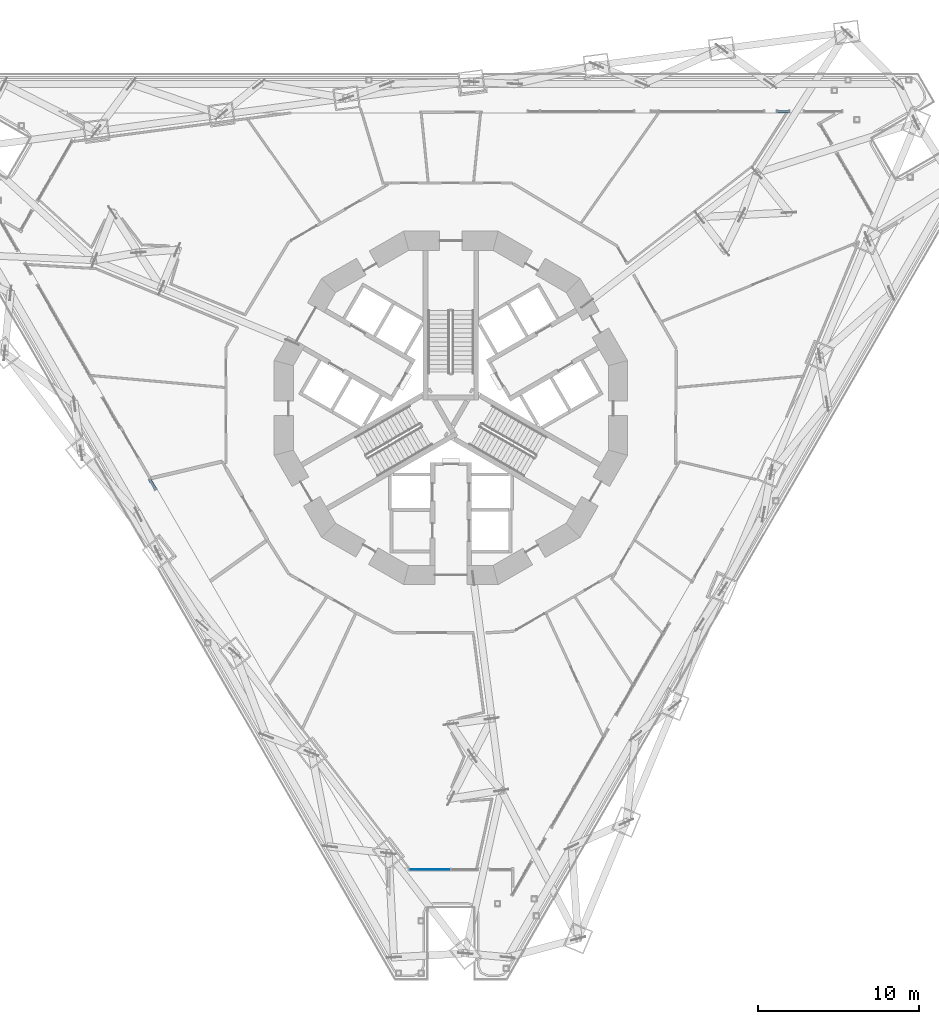
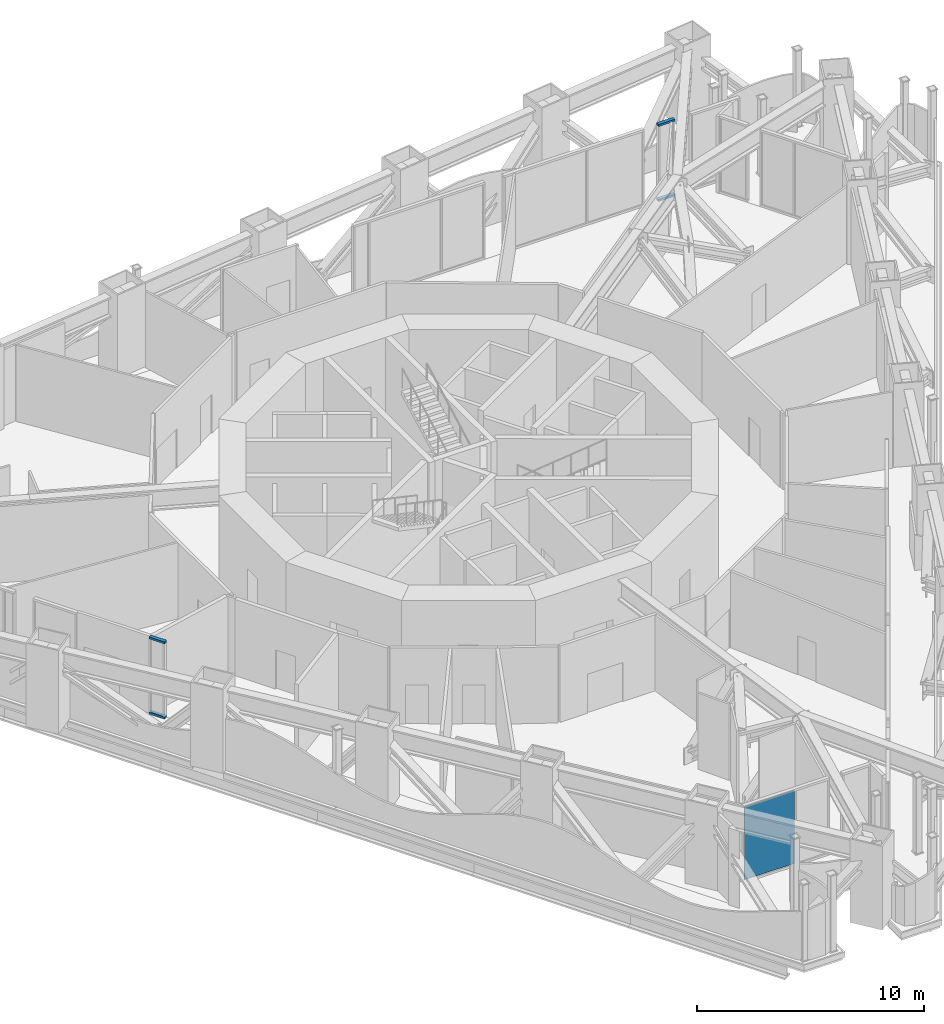
# One storey, part 7 of 28: 4 members, 1 plate, 3 elements without a shape of their own.
"""IFC4 building model written with IfcOpenShell, lengths in metres."""

from ifc_helpers import new_model, si_unit, direction, frame, origin, origin_2d, place, context, subcontext, project, spatial, rectangle, extrude, material, layer, layer_set, material_profile, profile_set, type_object, element, aggregate, save


model = new_model("IFC4")

# Units and contexts
model_context = context("Model", 3, precision=1e-05, world=origin(), true_north=direction((0.0, 1.0)))
body_context = subcontext(model_context, "Body", "Model", "MODEL_VIEW")
ifc_project = project(units=[si_unit("LENGTHUNIT", "METRE"), si_unit("AREAUNIT", "SQUARE_METRE"), si_unit("VOLUMEUNIT", "CUBIC_METRE"), si_unit("PLANEANGLEUNIT", "RADIAN"), si_unit("MASSUNIT", "GRAM", prefix="KILO")], contexts=[model_context])

# Site, building, storey
site_placement = place(None, origin())
site = spatial("IfcSite", under=ifc_project, at=site_placement, CompositionType="ELEMENT")
building_placement = place(site_placement, origin())
building = spatial("IfcBuilding", under=site, at=building_placement, Name="Trine Commons Tower", CompositionType="ELEMENT")
storey_placement = place(building_placement, frame((0.0, 0.0, 45.89990234375)))
storey = spatial("IfcBuildingStorey", under=building, at=storey_placement, Name="L10", CompositionType="ELEMENT", Elevation=45.89990234375)

# Curtain wall, members
ifc_material_1 = material(Name="Sky lounge glazing: anodised aluminium frame with low-emissivity double glazed unit, solar control", Category="aluminium")
ifc_layer_1 = layer(ifc_material_1, 0.179931640625)
ifc_layer_set_1 = layer_set([ifc_layer_1], Name="Sky lounge glazing: anodised aluminium frame with low-emissivity double glazed unit, solar control")
curtain_wall_type = type_object("IfcCurtainWallType", Name="Sky lounge glazing curtain wall CW5", PredefinedType="NOTDEFINED", material=ifc_layer_set_1)
curtain_wall_1_placement = place(storey_placement, origin())
curtain_wall_1 = element("IfcCurtainWall", 1, at=curtain_wall_1_placement, inside=storey, type_object=curtain_wall_type, Name="Sky lounge glazing L10 F1.3", PredefinedType="NOTDEFINED")
ifc_material_2 = material(Name="Anodised aluminium, bronze finish", Category="aluminium")
ifc_material_profile = material_profile(ifc_material_2, rectangle(XDim=0.179931640625, YDim=0.110107421875, at=origin_2d()), Name="Transom 110x180")
ifc_profile_set = profile_set([ifc_material_profile], Name="Anodised aluminium, bronze finish")
member_type = type_object("IfcMemberType", Name="Transom 110x180, Anodised aluminium, bronze finish", PredefinedType="USERDEFINED", material=ifc_profile_set)
member_1_placement = place(storey_placement, frame((100.27978515625, 80.974609375, 0.05517578125), z_axis=(1.0, 0.0, 0.0), x_axis=(0.0, 1.0, 0.0)))
member_1 = element("IfcMember", 2, at=member_1_placement, type_object=member_type, Name="CW5 transom T00", ObjectType="TRANSOM", PredefinedType="USERDEFINED", context=body_context, shape_type="SweptSolid", body=[
    extrude(rectangle(XDim=0.179931640625, YDim=0.110107421875, at=origin_2d()), origin(), (0.0, 0.0, 1.0), 0.83935546875),
])
member_2_placement = place(storey_placement, frame((100.27978515625, 80.974609375, 4.09521484375), z_axis=(1.0, 0.0, 0.0), x_axis=(0.0, 1.0, 0.0)))
member_2 = element("IfcMember", 3, at=member_2_placement, type_object=member_type, Name="CW5 transom TH00", ObjectType="TRANSOM", PredefinedType="USERDEFINED", context=body_context, shape_type="SweptSolid", body=[
    extrude(rectangle(XDim=0.179931640625, YDim=0.110107421875, at=origin_2d()), origin(), (0.0, 0.0, 1.0), 0.83935546875),
])
aggregate(curtain_wall_1, [member_1, member_2])

curtain_wall_2_placement = place(storey_placement, origin())
curtain_wall_2 = element("IfcCurtainWall", 4, at=curtain_wall_2_placement, inside=storey, type_object=curtain_wall_type, Name="Sky lounge glazing L10 F3.1", PredefinedType="NOTDEFINED")
member_3_placement = place(storey_placement, frame((61.6201171875, 57.385498046875, 0.05517578125), z_axis=(-0.499874568293, 0.866097809704, 0.0), x_axis=(-0.866097809704, -0.499874568293, 0.0)))
member_3 = element("IfcMember", 5, at=member_3_placement, type_object=member_type, Name="CW5 transom T00", ObjectType="TRANSOM", PredefinedType="USERDEFINED", context=body_context, shape_type="SweptSolid", body=[
    extrude(rectangle(XDim=0.179931640625, YDim=0.110107421875, at=origin_2d()), origin(), (0.0, 0.0, 1.0), 0.787353515625),
])
member_4_placement = place(storey_placement, frame((61.6201171875, 57.385498046875, 4.09521484375), z_axis=(-0.499874568293, 0.866097809704, 0.0), x_axis=(-0.866097809704, -0.499874568293, 0.0)))
member_4 = element("IfcMember", 6, at=member_4_placement, type_object=member_type, Name="CW5 transom TH00", ObjectType="TRANSOM", PredefinedType="USERDEFINED", context=body_context, shape_type="SweptSolid", body=[
    extrude(rectangle(XDim=0.179931640625, YDim=0.110107421875, at=origin_2d()), origin(), (0.0, 0.0, 1.0), 0.787353515625),
])
aggregate(curtain_wall_2, [member_3, member_4])

# Curtain wall, plate
curtain_wall_3_placement = place(storey_placement, origin())
curtain_wall_3 = element("IfcCurtainWall", 7, at=curtain_wall_3_placement, inside=storey, type_object=curtain_wall_type, Name="Sky lounge glazing L10 P3.2", PredefinedType="NOTDEFINED")
ifc_material_3 = material(Name="Low-emissivity double glazed unit, solar control")
ifc_layer_2 = layer(ifc_material_3, 0.031982421875)
ifc_layer_set_2 = layer_set([ifc_layer_2], Name="Low-emissivity double glazed unit, solar control")
plate_type = type_object("IfcPlateType", Name="Double glazed unit 32 mm (sky floors)", PredefinedType="CURTAIN_PANEL", material=ifc_layer_set_2)
plate_placement = place(storey_placement, frame((78.687744140625, 33.74072265625, 0.1103515625), z_axis=(0.0, 0.0, 1.0), x_axis=(-1.0, 0.0, 0.0)))
plate = element("IfcPlate", 8, at=plate_placement, type_object=plate_type, Name="CW5 panel 2.1", PredefinedType="CURTAIN_PANEL", context=body_context, shape_type="SweptSolid", body=[
    extrude(rectangle(XDim=2.549560546875, YDim=0.031982421875, at=origin_2d()), origin(), (0.0, 0.0, 1.0), 3.929931640625),
])
aggregate(curtain_wall_3, [plate])

save(model, "model.ifc")
